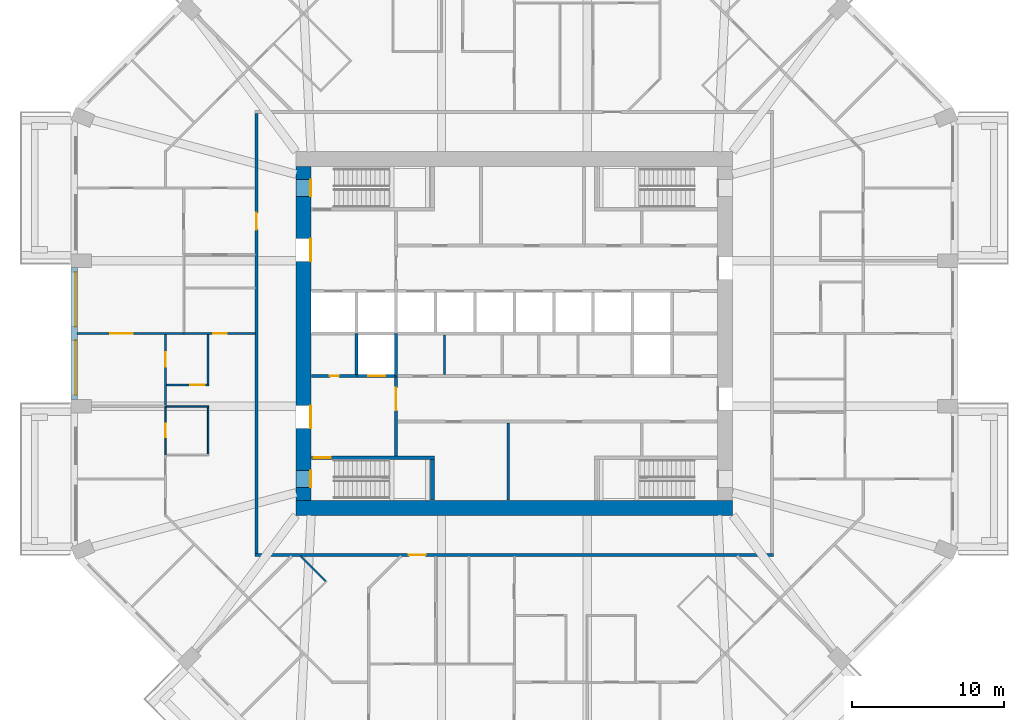
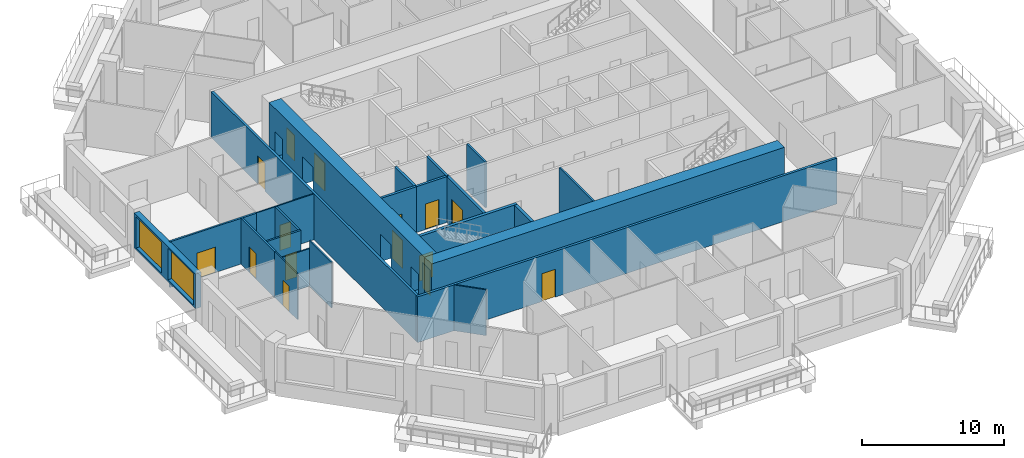
# One storey, part 4 of 13: 23 walls, 15 doors, 2 windows, 17 openings.
"""IFC4 building model written with IfcOpenShell, lengths in metres."""

from ifc_helpers import new_model, si_unit, direction, frame, frame_2d, origin, place, context, subcontext, project, spatial, rectangle, extrude, material, layer, layer_set, type_object, element, fill, save


model = new_model("IFC4")

# Units and contexts
model_context = context("Model", 3, precision=1e-05, world=origin(), true_north=direction((0.0, 1.0)))
body_context = subcontext(model_context, "Body", "Model", "MODEL_VIEW")
ifc_project = project(units=[si_unit("LENGTHUNIT", "METRE"), si_unit("AREAUNIT", "SQUARE_METRE"), si_unit("VOLUMEUNIT", "CUBIC_METRE"), si_unit("PLANEANGLEUNIT", "RADIAN"), si_unit("MASSUNIT", "GRAM", prefix="KILO")], contexts=[model_context])

# Site, building, storey
site_placement = place(None, origin())
site = spatial("IfcSite", under=ifc_project, at=site_placement, CompositionType="ELEMENT")
building_placement = place(site_placement, origin())
building = spatial("IfcBuilding", under=site, at=building_placement, Name="Msitu Wima Residences", CompositionType="ELEMENT")
storey_placement = place(building_placement, frame((0.0, 0.0, 25.5)))
storey = spatial("IfcBuildingStorey", under=building, at=storey_placement, Name="L05", CompositionType="ELEMENT", Elevation=25.5)

# Wall, openings, windows
ifc_material_1 = material(Name="Brick (red buff mix)", Category="masonry")
ifc_layer_1 = layer(ifc_material_1, 0.449951171875)
ifc_layer_set_1 = layer_set([ifc_layer_1], Name="Brick (red buff mix)")
wall_type_1 = type_object("IfcWallType", Name="Brick infill wall BW450", PredefinedType="SOLIDWALL", material=ifc_layer_set_1)
wall_1_placement = place(storey_placement, frame((-29.02490234375, 4.35009765625, 0.89990234375), z_axis=(0.0, 0.0, 1.0), x_axis=(0.0, -1.0, 0.0)))
wall_1 = element("IfcWall", 1, at=wall_1_placement, inside=storey, type_object=wall_type_1, Name="Brick infill wall L05 W1", PredefinedType="SOLIDWALL", context=body_context, shape_type="SweptSolid", body=[
    extrude(rectangle(XDim=8.7001953125, YDim=0.449951171875, at=frame_2d((4.35009765625, 0.0))), origin(), (0.0, 0.0, 1.0), 3.0),
])
opening_1_placement = place(wall_1_placement, frame((0.300048828125, 0.0, 0.14990234375)))
opening_1 = element("IfcOpeningElement", 2, at=opening_1_placement, cuts=wall_1, Name="Opening W05-07.028", PredefinedType="OPENING", context=body_context, shape_type="SweptSolid", body=[
    extrude(rectangle(XDim=3.60009765625, YDim=2.699951171875, at=frame_2d((1.800048828125, 1.35009765625))), frame((0.0, 0.23486328125, 0.0), z_axis=(0.0, -1.0, 0.0), x_axis=(1.0, 0.0, 0.0)), (0.0, 0.0, 1.0), 0.469970703125),
])
opening_2_placement = place(wall_1_placement, frame((4.800048828125, 0.0, 0.14990234375)))
opening_2 = element("IfcOpeningElement", 3, at=opening_2_placement, cuts=wall_1, Name="Opening W05-07.029", PredefinedType="OPENING", context=body_context, shape_type="SweptSolid", body=[
    extrude(rectangle(XDim=3.60009765625, YDim=2.699951171875, at=frame_2d((1.800048828125, 1.35009765625))), frame((0.0, 0.23486328125, 0.0), z_axis=(0.0, -1.0, 0.0), x_axis=(1.0, 0.0, 0.0)), (0.0, 0.0, 1.0), 0.469970703125),
])
ifc_material_2 = material(Name="Anodised aluminium, bronze finish, clear low-emissivity double glazing", Category="aluminium")
window_type = type_object("IfcWindowType", Name="Window W3600x2700", PartitioningType="DOUBLE_PANEL_VERTICAL", PredefinedType="WINDOW", material=ifc_material_2)
window_1_placement = place(opening_1_placement, origin())
window_1 = element("IfcWindow", 4, at=window_1_placement, inside=storey, type_object=window_type, Name="Window L05 W1.1", OverallHeight=2.699951171875, OverallWidth=3.60009765625, PartitioningType="SINGLE_PANEL", PredefinedType="WINDOW", context=body_context, shape_type="SweptSolid", body=[
    extrude(rectangle(XDim=3.60009765625, YDim=2.699951171875, at=frame_2d((1.800048828125, 1.35009765625))), frame((0.0, 0.135009765625, 0.0), z_axis=(0.0, -1.0, 0.0), x_axis=(1.0, 0.0, 0.0)), (0.0, 0.0, 1.0), 0.06005859375),
])
fill(opening_1, window_1)
window_2_placement = place(opening_2_placement, origin())
window_2 = element("IfcWindow", 5, at=window_2_placement, inside=storey, type_object=window_type, Name="Window L05 W1.2", OverallHeight=2.699951171875, OverallWidth=3.60009765625, PartitioningType="SINGLE_PANEL", PredefinedType="WINDOW", context=body_context, shape_type="SweptSolid", body=[
    extrude(rectangle(XDim=3.60009765625, YDim=2.699951171875, at=frame_2d((1.800048828125, 1.35009765625))), frame((0.0, 0.135009765625, 0.0), z_axis=(0.0, -1.0, 0.0), x_axis=(1.0, 0.0, 0.0)), (0.0, 0.0, 1.0), 0.06005859375),
])
fill(opening_2, window_2)

# Wall
ifc_material_3 = material(Name="Concrete C80/95", Category="concrete")
ifc_layer_2 = layer(ifc_material_3, 1.0)
ifc_layer_set_2 = layer_set([ifc_layer_2], Name="Concrete C80/95")
wall_type_2 = type_object("IfcWallType", Name="Core wall CW1000 C80/95", PredefinedType="SHEAR", material=ifc_layer_set_2)
wall_2_placement = place(storey_placement, frame((-14.39990234375, -11.5, 0.0), z_axis=(0.0, 0.0, 1.0), x_axis=(1.0, 0.0, 0.0)))
element("IfcWall", 6, at=wall_2_placement, inside=storey, type_object=wall_type_2, Name="Core wall", PredefinedType="SHEAR", context=body_context, shape_type="SweptSolid", body=[
    extrude(rectangle(XDim=28.7998046875, YDim=1.0, at=frame_2d((14.39990234375, 0.0))), origin(), (0.0, 0.0, 1.0), 4.199951171875),
])

# Wall, openings, doors
wall_3_placement = place(storey_placement, frame((-13.89990234375, -11.0, 0.0), z_axis=(0.0, 0.0, 1.0), x_axis=(0.0, 1.0, 0.0)))
wall_3 = element("IfcWall", 7, at=wall_3_placement, inside=storey, type_object=wall_type_2, Name="Core wall", PredefinedType="SHEAR", context=body_context, shape_type="SweptSolid", body=[
    extrude(rectangle(XDim=22.0, YDim=1.0, at=frame_2d((11.0, 0.0))), origin(), (0.0, 0.0, 1.0), 4.199951171875),
])
opening_3_placement = place(wall_3_placement, frame((20.050048828125, 0.0, 0.0)))
opening_3 = element("IfcOpeningElement", 8, at=opening_3_placement, cuts=wall_3, Name="Opening D05-07.036", PredefinedType="OPENING", context=body_context, shape_type="SweptSolid", body=[
    extrude(rectangle(XDim=1.10009765625, YDim=2.199951171875, at=frame_2d((0.550048828125, 1.10009765625))), frame((0.0, 0.510009765625, 0.0), z_axis=(0.0, -1.0, 0.0), x_axis=(1.0, 0.0, 0.0)), (0.0, 0.0, 1.0), 1.02001953125),
])
opening_4_placement = place(wall_3_placement, frame((0.85009765625, 0.0, 0.0)))
opening_4 = element("IfcOpeningElement", 9, at=opening_4_placement, cuts=wall_3, Name="Opening D05-07.038", PredefinedType="OPENING", context=body_context, shape_type="SweptSolid", body=[
    extrude(rectangle(XDim=1.10009765625, YDim=2.199951171875, at=frame_2d((0.550048828125, 1.10009765625))), frame((0.0, 0.510009765625, 0.0), z_axis=(0.0, -1.0, 0.0), x_axis=(1.0, 0.0, 0.0)), (0.0, 0.0, 1.0), 1.02001953125),
])
opening_5_placement = place(wall_3_placement, frame((15.75, 0.0, 0.0)))
opening_5 = element("IfcOpeningElement", 10, at=opening_5_placement, cuts=wall_3, Name="Opening D05-07.016", PredefinedType="OPENING", context=body_context, shape_type="SweptSolid", body=[
    extrude(rectangle(XDim=1.5, YDim=2.39990234375, at=frame_2d((0.75, 1.199951171875))), frame((0.0, 0.510009765625, 0.0), z_axis=(0.0, -1.0, 0.0), x_axis=(1.0, 0.0, 0.0)), (0.0, 0.0, 1.0), 1.02001953125),
])
opening_6_placement = place(wall_3_placement, frame((4.75, 0.0, 0.0)))
opening_6 = element("IfcOpeningElement", 11, at=opening_6_placement, cuts=wall_3, Name="Opening D05-07.018", PredefinedType="OPENING", context=body_context, shape_type="SweptSolid", body=[
    extrude(rectangle(XDim=1.5, YDim=2.39990234375, at=frame_2d((0.75, 1.199951171875))), frame((0.0, 0.510009765625, 0.0), z_axis=(0.0, -1.0, 0.0), x_axis=(1.0, 0.0, 0.0)), (0.0, 0.0, 1.0), 1.02001953125),
])
ifc_material_4 = material(Name="Steel framed glazed door, fire resisting", Category="steel")
door_type_1 = type_object("IfcDoorType", Name="Lobby door D07 1500x2400", OperationType="DOUBLE_DOOR_SINGLE_SWING", PredefinedType="DOOR", material=ifc_material_4)
door_1_placement = place(opening_5_placement, origin())
door_1 = element("IfcDoor", 12, at=door_1_placement, inside=storey, type_object=door_type_1, Name="Lobby door", OperationType="DOUBLE_DOOR_SINGLE_SWING", OverallHeight=2.39990234375, OverallWidth=1.5, PredefinedType="DOOR", context=body_context, shape_type="SweptSolid", body=[
    extrude(rectangle(XDim=1.5, YDim=2.39990234375, at=frame_2d((0.75, 1.199951171875))), frame((0.0, -0.44482421875, 0.0), z_axis=(0.0, -1.0, 0.0), x_axis=(1.0, 0.0, 0.0)), (0.0, 0.0, 1.0), 0.050048828125),
])
fill(opening_5, door_1)
door_2_placement = place(opening_6_placement, origin())
door_2 = element("IfcDoor", 13, at=door_2_placement, inside=storey, type_object=door_type_1, Name="Lobby door", OperationType="DOUBLE_DOOR_SINGLE_SWING", OverallHeight=2.39990234375, OverallWidth=1.5, PredefinedType="DOOR", context=body_context, shape_type="SweptSolid", body=[
    extrude(rectangle(XDim=1.5, YDim=2.39990234375, at=frame_2d((0.75, 1.199951171875))), frame((0.0, -0.44482421875, 0.0), z_axis=(0.0, -1.0, 0.0), x_axis=(1.0, 0.0, 0.0)), (0.0, 0.0, 1.0), 0.050048828125),
])
fill(opening_6, door_2)
ifc_material_5 = material(Name="Steel door, fire resisting, panic bar", Category="steel")
door_type_2 = type_object("IfcDoorType", Name="Stair door D06 1100x2200", OperationType="SINGLE_SWING_LEFT", PredefinedType="DOOR", material=ifc_material_5)
door_3_placement = place(opening_3_placement, origin())
door_3 = element("IfcDoor", 14, at=door_3_placement, inside=storey, type_object=door_type_2, Name="Stair door", OperationType="SINGLE_SWING_RIGHT", OverallHeight=2.199951171875, OverallWidth=1.10009765625, PredefinedType="DOOR", context=body_context, shape_type="SweptSolid", body=[
    extrude(rectangle(XDim=1.10009765625, YDim=2.199951171875, at=frame_2d((0.550048828125, 1.10009765625))), frame((0.0, -0.44482421875, 0.0), z_axis=(0.0, -1.0, 0.0), x_axis=(1.0, 0.0, 0.0)), (0.0, 0.0, 1.0), 0.050048828125),
])
fill(opening_3, door_3)
door_4_placement = place(opening_4_placement, origin())
door_4 = element("IfcDoor", 15, at=door_4_placement, inside=storey, type_object=door_type_2, Name="Stair door", OperationType="SINGLE_SWING_LEFT", OverallHeight=2.199951171875, OverallWidth=1.10009765625, PredefinedType="DOOR", context=body_context, shape_type="SweptSolid", body=[
    extrude(rectangle(XDim=1.10009765625, YDim=2.199951171875, at=frame_2d((0.550048828125, 1.10009765625))), frame((0.0, -0.44482421875, 0.0), z_axis=(0.0, -1.0, 0.0), x_axis=(1.0, 0.0, 0.0)), (0.0, 0.0, 1.0), 0.050048828125),
])
fill(opening_4, door_4)

# Wall, opening, door
ifc_material_6 = material(Name="Plaster")
ifc_layer_3 = layer(ifc_material_6, 0.011962890625, Name="Plaster")
ifc_material_7 = material(Name="Concrete blockwork", Category="masonry")
ifc_layer_4 = layer(ifc_material_7, 0.176025390625, Name="Concrete blockwork")
ifc_layer_5 = layer(ifc_material_6, 0.011962890625, Name="Plaster")
ifc_layer_set_3 = layer_set([ifc_layer_3, ifc_layer_4, ifc_layer_5], Name="Concrete blockwork")
wall_type_3 = type_object("IfcWallType", Name="Corridor wall FW200", PredefinedType="PARTITIONING", material=ifc_layer_set_3)
wall_4_placement = place(storey_placement, frame((-17.0, -14.5, 0.0), z_axis=(0.0, 0.0, 1.0), x_axis=(0.0, 1.0, 0.0)))
wall_4 = element("IfcWall", 16, at=wall_4_placement, inside=storey, type_object=wall_type_3, Name="Corridor wall", PredefinedType="PARTITIONING", context=body_context, shape_type="SweptSolid", body=[
    extrude(rectangle(XDim=29.0, YDim=0.199951171875, at=frame_2d((14.5, 0.0))), origin(), (0.0, 0.0, 1.0), 3.949951171875),
])
opening_7_placement = place(wall_4_placement, frame((21.35009765625, 0.0, 0.0)))
opening_7 = element("IfcOpeningElement", 17, at=opening_7_placement, cuts=wall_4, Name="Opening D05-07.013", PredefinedType="OPENING", context=body_context, shape_type="SweptSolid", body=[
    extrude(rectangle(XDim=1.10009765625, YDim=2.39990234375, at=frame_2d((0.550048828125, 1.199951171875))), frame((0.0, 0.10986328125, 0.0), z_axis=(0.0, -1.0, 0.0), x_axis=(1.0, 0.0, 0.0)), (0.0, 0.0, 1.0), 0.219970703125),
])
ifc_material_8 = material(Name="Timber flush door, fire resisting, self-closing", Category="wood")
door_type_3 = type_object("IfcDoorType", Name="Flat entrance door D01 1100x2400", OperationType="SINGLE_SWING_LEFT", PredefinedType="DOOR", material=ifc_material_8)
door_5_placement = place(opening_7_placement, origin())
door_5 = element("IfcDoor", 18, at=door_5_placement, inside=storey, type_object=door_type_3, Name="Flat entrance door", OperationType="SINGLE_SWING_RIGHT", OverallHeight=2.39990234375, OverallWidth=1.10009765625, PredefinedType="DOOR", context=body_context, shape_type="SweptSolid", body=[
    extrude(rectangle(XDim=1.10009765625, YDim=2.39990234375, at=frame_2d((0.550048828125, 1.199951171875))), frame((0.0, 0.02490234375, 0.0), z_axis=(0.0, -1.0, 0.0), x_axis=(1.0, 0.0, 0.0)), (0.0, 0.0, 1.0), 0.050048828125),
])
fill(opening_7, door_5)

wall_5_placement = place(storey_placement, frame((-17.10009765625, -14.60009765625, 0.0), z_axis=(0.0, 0.0, 1.0), x_axis=(1.0, 0.0, 0.0)))
wall_5 = element("IfcWall", 19, at=wall_5_placement, inside=storey, type_object=wall_type_3, Name="Corridor wall", PredefinedType="PARTITIONING", context=body_context, shape_type="SweptSolid", body=[
    extrude(rectangle(XDim=34.2001953125, YDim=0.199951171875, at=frame_2d((17.10009765625, 0.0))), origin(), (0.0, 0.0, 1.0), 3.949951171875),
])
opening_8_placement = place(wall_5_placement, frame((10.14990234375, 0.0, 0.0)))
opening_8 = element("IfcOpeningElement", 20, at=opening_8_placement, cuts=wall_5, Name="Opening D05-07.014", PredefinedType="OPENING", context=body_context, shape_type="SweptSolid", body=[
    extrude(rectangle(XDim=1.10009765625, YDim=2.39990234375, at=frame_2d((0.550048828125, 1.199951171875))), frame((0.0, 0.10986328125, 0.0), z_axis=(0.0, -1.0, 0.0), x_axis=(1.0, 0.0, 0.0)), (0.0, 0.0, 1.0), 0.219970703125),
])
door_6_placement = place(opening_8_placement, origin())
door_6 = element("IfcDoor", 21, at=door_6_placement, inside=storey, type_object=door_type_3, Name="Flat entrance door", OperationType="SINGLE_SWING_RIGHT", OverallHeight=2.39990234375, OverallWidth=1.10009765625, PredefinedType="DOOR", context=body_context, shape_type="SweptSolid", body=[
    extrude(rectangle(XDim=1.10009765625, YDim=2.39990234375, at=frame_2d((0.550048828125, 1.199951171875))), frame((0.0, 0.02490234375, 0.0), z_axis=(0.0, -1.0, 0.0), x_axis=(1.0, 0.0, 0.0)), (0.0, 0.0, 1.0), 0.050048828125),
])
fill(opening_8, door_6)

wall_6_placement = place(storey_placement, frame((-7.800048828125, -8.074951171875, 0.0), z_axis=(0.0, 0.0, 1.0), x_axis=(0.0, 1.0, 0.0)))
wall_6 = element("IfcWall", 22, at=wall_6_placement, inside=storey, type_object=wall_type_3, Name="Corridor wall", PredefinedType="PARTITIONING", context=body_context, shape_type="SweptSolid", body=[
    extrude(rectangle(XDim=5.27490234375, YDim=0.199951171875, at=frame_2d((2.637451171875, 0.0))), origin(), (0.0, 0.0, 1.0), 3.949951171875),
])
opening_9_placement = place(wall_6_placement, frame((3.0, 0.0, 0.0)))
opening_9 = element("IfcOpeningElement", 23, at=opening_9_placement, cuts=wall_6, Name="Opening D05-07.019", PredefinedType="OPENING", context=body_context, shape_type="SweptSolid", body=[
    extrude(rectangle(XDim=1.5, YDim=2.39990234375, at=frame_2d((0.75, 1.199951171875))), frame((0.0, 0.10986328125, 0.0), z_axis=(0.0, -1.0, 0.0), x_axis=(1.0, 0.0, 0.0)), (0.0, 0.0, 1.0), 0.219970703125),
])
door_7_placement = place(opening_9_placement, origin())
door_7 = element("IfcDoor", 24, at=door_7_placement, inside=storey, type_object=door_type_1, Name="Lobby door", OperationType="DOUBLE_DOOR_SINGLE_SWING", OverallHeight=2.39990234375, OverallWidth=1.5, PredefinedType="DOOR", context=body_context, shape_type="SweptSolid", body=[
    extrude(rectangle(XDim=1.5, YDim=2.39990234375, at=frame_2d((0.75, 1.199951171875))), frame((0.0, 0.02490234375, 0.0), z_axis=(0.0, -1.0, 0.0), x_axis=(1.0, 0.0, 0.0)), (0.0, 0.0, 1.0), 0.050048828125),
])
fill(opening_9, door_7)

ifc_layer_6 = layer(ifc_material_6, 0.011962890625, Name="Plaster")
ifc_layer_7 = layer(ifc_material_7, 0.1259765625, Name="Concrete blockwork")
ifc_layer_8 = layer(ifc_material_6, 0.011962890625, Name="Plaster")
ifc_layer_set_4 = layer_set([ifc_layer_6, ifc_layer_7, ifc_layer_8], Name="Concrete blockwork")
wall_type_4 = type_object("IfcWallType", Name="Partition PW150", PredefinedType="PARTITIONING", material=ifc_layer_set_4)
wall_7_placement = place(storey_placement, frame((-28.85498046875, 0.0, 0.0), z_axis=(0.0, 0.0, 1.0), x_axis=(1.0, 0.0, 0.0)))
wall_7 = element("IfcWall", 25, at=wall_7_placement, inside=storey, type_object=wall_type_4, Name="Partition", PredefinedType="PARTITIONING", context=body_context, shape_type="SweptSolid", body=[
    extrude(rectangle(XDim=7.054931640625, YDim=0.14990234375, at=frame_2d((3.52734375, 0.0))), origin(), (0.0, 0.0, 1.0), 3.949951171875),
])
opening_10_placement = place(wall_7_placement, frame((2.199951171875, 0.0, 0.0)))
opening_10 = element("IfcOpeningElement", 26, at=opening_10_placement, cuts=wall_7, Name="Opening D05-07.067", PredefinedType="OPENING", context=body_context, shape_type="SweptSolid", body=[
    extrude(rectangle(XDim=1.5, YDim=2.199951171875, at=frame_2d((0.75, 1.10009765625))), frame((0.0, 0.0849609375, 0.0), z_axis=(0.0, -1.0, 0.0), x_axis=(1.0, 0.0, 0.0)), (0.0, 0.0, 1.0), 0.169921875),
])
ifc_material_9 = material(Name="Timber double door", Category="wood")
door_type_4 = type_object("IfcDoorType", Name="Double door D04 1500x2200", OperationType="DOUBLE_DOOR_SINGLE_SWING", PredefinedType="DOOR", material=ifc_material_9)
door_8_placement = place(opening_10_placement, origin())
door_8 = element("IfcDoor", 27, at=door_8_placement, inside=storey, type_object=door_type_4, Name="Double door", OperationType="DOUBLE_DOOR_SINGLE_SWING", OverallHeight=2.199951171875, OverallWidth=1.5, PredefinedType="DOOR", context=body_context, shape_type="SweptSolid", body=[
    extrude(rectangle(XDim=1.5, YDim=2.199951171875, at=frame_2d((0.75, 1.10009765625))), frame((0.0, 0.02490234375, 0.0), z_axis=(0.0, -1.0, 0.0), x_axis=(1.0, 0.0, 0.0)), (0.0, 0.0, 1.0), 0.050048828125),
])
fill(opening_10, door_8)

wall_8_placement = place(storey_placement, frame((-23.0, -4.800048828125, 0.0), z_axis=(0.0, 0.0, 1.0), x_axis=(0.0, 1.0, 0.0)))
wall_8 = element("IfcWall", 28, at=wall_8_placement, inside=storey, type_object=wall_type_4, Name="Partition", PredefinedType="PARTITIONING", context=body_context, shape_type="SweptSolid", body=[
    extrude(rectangle(XDim=4.72509765625, YDim=0.14990234375, at=frame_2d((2.362548828125, 0.0))), origin(), (0.0, 0.0, 1.0), 3.949951171875),
])
opening_11_placement = place(wall_8_placement, frame((2.60009765625, 0.0, 0.0)))
opening_11 = element("IfcOpeningElement", 29, at=opening_11_placement, cuts=wall_8, Name="Opening D05-07.069", PredefinedType="OPENING", context=body_context, shape_type="SweptSolid", body=[
    extrude(rectangle(XDim=0.949951171875, YDim=2.199951171875, at=frame_2d((0.47509765625, 1.10009765625))), frame((0.0, 0.0849609375, 0.0), z_axis=(0.0, -1.0, 0.0), x_axis=(1.0, 0.0, 0.0)), (0.0, 0.0, 1.0), 0.169921875),
])
ifc_material_10 = material(Name="Timber flush door", Category="wood")
door_type_5 = type_object("IfcDoorType", Name="Room door D12 950x2200", OperationType="SINGLE_SWING_LEFT", PredefinedType="DOOR", material=ifc_material_10)
door_9_placement = place(opening_11_placement, origin())
door_9 = element("IfcDoor", 30, at=door_9_placement, inside=storey, type_object=door_type_5, Name="Room door", OperationType="SINGLE_SWING_RIGHT", OverallHeight=2.199951171875, OverallWidth=0.949951171875, PredefinedType="DOOR", context=body_context, shape_type="SweptSolid", body=[
    extrude(rectangle(XDim=0.949951171875, YDim=2.199951171875, at=frame_2d((0.47509765625, 1.10009765625))), frame((0.0, 0.02490234375, 0.0), z_axis=(0.0, -1.0, 0.0), x_axis=(1.0, 0.0, 0.0)), (0.0, 0.0, 1.0), 0.050048828125),
])
fill(opening_11, door_9)

wall_9_placement = place(storey_placement, frame((-22.925048828125, -3.39990234375, 0.0), z_axis=(0.0, 0.0, 1.0), x_axis=(1.0, 0.0, 0.0)))
wall_9 = element("IfcWall", 31, at=wall_9_placement, inside=storey, type_object=wall_type_4, Name="Partition", PredefinedType="PARTITIONING", context=body_context, shape_type="SweptSolid", body=[
    extrude(rectangle(XDim=2.800048828125, YDim=0.14990234375, at=frame_2d((1.39990234375, 0.0))), origin(), (0.0, 0.0, 1.0), 3.949951171875),
])
opening_12_placement = place(wall_9_placement, frame((1.550048828125, 0.0, 0.0)))
opening_12 = element("IfcOpeningElement", 32, at=opening_12_placement, cuts=wall_9, Name="Opening D05-07.071", PredefinedType="OPENING", context=body_context, shape_type="SweptSolid", body=[
    extrude(rectangle(XDim=0.949951171875, YDim=2.199951171875, at=frame_2d((0.47509765625, 1.10009765625))), frame((0.0, 0.0849609375, 0.0), z_axis=(0.0, -1.0, 0.0), x_axis=(1.0, 0.0, 0.0)), (0.0, 0.0, 1.0), 0.169921875),
])
door_10_placement = place(opening_12_placement, origin())
door_10 = element("IfcDoor", 33, at=door_10_placement, inside=storey, type_object=door_type_5, Name="Room door", OperationType="SINGLE_SWING_RIGHT", OverallHeight=2.199951171875, OverallWidth=0.949951171875, PredefinedType="DOOR", context=body_context, shape_type="SweptSolid", body=[
    extrude(rectangle(XDim=0.949951171875, YDim=2.199951171875, at=frame_2d((0.47509765625, 1.10009765625))), frame((0.0, 0.02490234375, 0.0), z_axis=(0.0, -1.0, 0.0), x_axis=(1.0, 0.0, 0.0)), (0.0, 0.0, 1.0), 0.050048828125),
])
fill(opening_12, door_10)

# Walls
wall_10_placement = place(storey_placement, frame((-20.199951171875, -3.324951171875, 0.0), z_axis=(0.0, 0.0, 1.0), x_axis=(0.0, 1.0, 0.0)))
element("IfcWall", 34, at=wall_10_placement, inside=storey, type_object=wall_type_4, Name="Partition", PredefinedType="PARTITIONING", context=body_context, shape_type="SweptSolid", body=[
    extrude(rectangle(XDim=3.27490234375, YDim=0.14990234375, at=frame_2d((1.637451171875, 0.0))), origin(), (0.0, 0.0, 1.0), 3.949951171875),
])
wall_11_placement = place(storey_placement, frame((-4.60009765625, -2.699951171875, 0.0), z_axis=(0.0, 0.0, 1.0), x_axis=(0.0, 1.0, 0.0)))
element("IfcWall", 35, at=wall_11_placement, inside=storey, type_object=wall_type_4, Name="Partition", PredefinedType="PARTITIONING", context=body_context, shape_type="SweptSolid", body=[
    extrude(rectangle(XDim=2.599853515625, YDim=0.14990234375, at=frame_2d((1.2998046875, 0.0))), origin(), (0.0, 0.0, 1.0), 3.949951171875),
])
wall_12_placement = place(storey_placement, frame((-0.39990234375, -10.969970703125, 0.0), z_axis=(0.0, 0.0, 1.0), x_axis=(0.0, 1.0, 0.0)))
element("IfcWall", 36, at=wall_12_placement, inside=storey, type_object=wall_type_4, Name="Partition", PredefinedType="PARTITIONING", context=body_context, shape_type="SweptSolid", body=[
    extrude(rectangle(XDim=5.070068359375, YDim=0.14990234375, at=frame_2d((2.53515625, 0.0))), origin(), (0.0, 0.0, 1.0), 3.949951171875),
])

# Wall, opening, door
ifc_layer_9 = layer(ifc_material_6, 0.011962890625, Name="Plaster")
ifc_material_11 = material(Name="Reinforced concrete blockwork", Category="masonry")
ifc_layer_10 = layer(ifc_material_11, 0.176025390625, Name="Reinforced concrete blockwork")
ifc_layer_11 = layer(ifc_material_6, 0.011962890625, Name="Plaster")
ifc_layer_set_5 = layer_set([ifc_layer_9, ifc_layer_10, ifc_layer_11], Name="Reinforced concrete blockwork")
wall_type_5 = type_object("IfcWallType", Name="Plant and riser wall PL200", PredefinedType="PARTITIONING", material=ifc_layer_set_5)
wall_13_placement = place(storey_placement, frame((-13.3701171875, -2.800048828125, 0.0), z_axis=(0.0, 0.0, 1.0), x_axis=(1.0, 0.0, 0.0)))
wall_13 = element("IfcWall", 37, at=wall_13_placement, inside=storey, type_object=wall_type_5, Name="Plant and riser wall", PredefinedType="PARTITIONING", context=body_context, shape_type="SweptSolid", body=[
    extrude(rectangle(XDim=2.990234375, YDim=0.199951171875, at=frame_2d((1.4951171875, 0.0))), origin(), (0.0, 0.0, 1.0), 3.949951171875),
])
opening_13_placement = place(wall_13_placement, frame((1.199951171875, 0.0, 0.0)))
opening_13 = element("IfcOpeningElement", 38, at=opening_13_placement, cuts=wall_13, Name="Opening D05-07.030", PredefinedType="OPENING", context=body_context, shape_type="SweptSolid", body=[
    extrude(rectangle(XDim=0.60009765625, YDim=2.0, at=frame_2d((0.300048828125, 1.0))), frame((0.0, 0.10986328125, 0.0), z_axis=(0.0, -1.0, 0.0), x_axis=(1.0, 0.0, 0.0)), (0.0, 0.0, 1.0), 0.219970703125),
])
ifc_material_12 = material(Name="Steel access door, fire resisting", Category="steel")
door_type_6 = type_object("IfcDoorType", Name="Riser access door D08 600x2000", OperationType="SINGLE_SWING_LEFT", PredefinedType="DOOR", material=ifc_material_12)
door_11_placement = place(opening_13_placement, origin())
door_11 = element("IfcDoor", 39, at=door_11_placement, inside=storey, type_object=door_type_6, Name="Riser access door", OperationType="SINGLE_SWING_RIGHT", OverallHeight=2.0, OverallWidth=0.60009765625, PredefinedType="DOOR", context=body_context, shape_type="SweptSolid", body=[
    extrude(rectangle(XDim=0.60009765625, YDim=2.0, at=frame_2d((0.300048828125, 1.0))), frame((0.0, 0.02490234375, 0.0), z_axis=(0.0, -1.0, 0.0), x_axis=(1.0, 0.0, 0.0)), (0.0, 0.0, 1.0), 0.050048828125),
])
fill(opening_13, door_11)

# Wall
ifc_material_13 = material(Name="Fire-rated board")
ifc_layer_12 = layer(ifc_material_13, 0.02490234375, Name="Fire-rated board")
ifc_material_14 = material(Name="Light-gauge stud framing with mineral wool")
ifc_layer_13 = layer(ifc_material_14, 0.14990234375, Name="Light-gauge stud framing with mineral wool")
ifc_layer_14 = layer(ifc_material_13, 0.02490234375, Name="Fire-rated board")
ifc_layer_set_6 = layer_set([ifc_layer_12, ifc_layer_13, ifc_layer_14], Name="Light-gauge stud framing with mineral wool")
wall_type_6 = type_object("IfcWallType", Name="Shaft wall SH200", PredefinedType="PARTITIONING", material=ifc_layer_set_6)
wall_14_placement = place(storey_placement, frame((-10.39990234375, -2.699951171875, 0.0), z_axis=(0.0, 0.0, 1.0), x_axis=(0.0, 1.0, 0.0)))
element("IfcWall", 40, at=wall_14_placement, inside=storey, type_object=wall_type_6, Name="Shaft wall", PredefinedType="PARTITIONING", context=body_context, shape_type="SweptSolid", body=[
    extrude(rectangle(XDim=2.699951171875, YDim=0.199951171875, at=frame_2d((1.35009765625, 0.0))), origin(), (0.0, 0.0, 1.0), 3.949951171875),
])

# Wall, opening, door
wall_15_placement = place(storey_placement, frame((-10.3798828125, -2.800048828125, 0.0), z_axis=(0.0, 0.0, 1.0), x_axis=(1.0, 0.0, 0.0)))
wall_15 = element("IfcWall", 41, at=wall_15_placement, inside=storey, type_object=wall_type_6, Name="Shaft wall", PredefinedType="PARTITIONING", context=body_context, shape_type="SweptSolid", body=[
    extrude(rectangle(XDim=2.559814453125, YDim=0.199951171875, at=frame_2d((1.27978515625, 0.0))), origin(), (0.0, 0.0, 1.0), 3.949951171875),
])
opening_14_placement = place(wall_15_placement, frame((0.75, 0.0, 0.0)))
opening_14 = element("IfcOpeningElement", 42, at=opening_14_placement, cuts=wall_15, Name="Opening LD", PredefinedType="OPENING", context=body_context, shape_type="SweptSolid", body=[
    extrude(rectangle(XDim=1.10009765625, YDim=2.199951171875, at=frame_2d((0.550048828125, 1.10009765625))), frame((0.0, 0.10986328125, 0.0), z_axis=(0.0, -1.0, 0.0), x_axis=(1.0, 0.0, 0.0)), (0.0, 0.0, 1.0), 0.219970703125),
])
ifc_material_15 = material(Name="Stainless steel centre-opening landing door, rated", Category="steel")
door_type_7 = type_object("IfcDoorType", Name="Lift landing door LD 1100x2200", OperationType="DOUBLE_DOOR_SLIDING", PredefinedType="DOOR", material=ifc_material_15)
door_12_placement = place(opening_14_placement, origin())
door_12 = element("IfcDoor", 43, at=door_12_placement, inside=storey, type_object=door_type_7, Name="Lift landing door LD3", OperationType="DOUBLE_DOOR_SLIDING", OverallHeight=2.199951171875, OverallWidth=1.10009765625, PredefinedType="DOOR", context=body_context, shape_type="SweptSolid", body=[
    extrude(rectangle(XDim=1.10009765625, YDim=2.199951171875, at=frame_2d((0.550048828125, 1.10009765625))), frame((0.0, 0.02490234375, 0.0), z_axis=(0.0, -1.0, 0.0), x_axis=(1.0, 0.0, 0.0)), (0.0, 0.0, 1.0), 0.050048828125),
])
fill(opening_14, door_12)

# Wall
wall_16_placement = place(storey_placement, frame((-7.800048828125, -2.800048828125, 0.0), z_axis=(0.0, 0.0, 1.0), x_axis=(0.0, 1.0, 0.0)))
element("IfcWall", 44, at=wall_16_placement, inside=storey, type_object=wall_type_6, Name="Shaft wall", PredefinedType="PARTITIONING", context=body_context, shape_type="SweptSolid", body=[
    extrude(rectangle(XDim=2.800048828125, YDim=0.199951171875, at=frame_2d((1.39990234375, 0.0))), origin(), (0.0, 0.0, 1.0), 3.949951171875),
])

# Wall, opening, door
ifc_material_16 = material(Name="Concrete C50/60", Category="concrete")
ifc_layer_15 = layer(ifc_material_16, 0.25)
ifc_layer_set_7 = layer_set([ifc_layer_15], Name="Concrete C50/60")
wall_type_7 = type_object("IfcWallType", Name="Stair enclosure wall SW250", PredefinedType="SHEAR", material=ifc_layer_set_7)
wall_17_placement = place(storey_placement, frame((-13.3701171875, -8.199951171875, 0.0), z_axis=(0.0, 0.0, 1.0), x_axis=(1.0, 0.0, 0.0)))
wall_17 = element("IfcWall", 45, at=wall_17_placement, inside=storey, type_object=wall_type_7, Name="Stair enclosure wall", PredefinedType="SHEAR", context=body_context, shape_type="SweptSolid", body=[
    extrude(rectangle(XDim=8.09521484375, YDim=0.25, at=frame_2d((4.047607421875, 0.0))), origin(), (0.0, 0.0, 1.0), 3.949951171875),
])
opening_15_placement = place(wall_17_placement, frame((0.14990234375, 0.0, 0.0)))
opening_15 = element("IfcOpeningElement", 46, at=opening_15_placement, cuts=wall_17, Name="Opening D05-07.039", PredefinedType="OPENING", context=body_context, shape_type="SweptSolid", body=[
    extrude(rectangle(XDim=1.10009765625, YDim=2.199951171875, at=frame_2d((0.550048828125, 1.10009765625))), frame((0.0, 0.135009765625, 0.0), z_axis=(0.0, -1.0, 0.0), x_axis=(1.0, 0.0, 0.0)), (0.0, 0.0, 1.0), 0.27001953125),
])
door_13_placement = place(opening_15_placement, origin())
door_13 = element("IfcDoor", 47, at=door_13_placement, inside=storey, type_object=door_type_2, Name="Stair door", OperationType="SINGLE_SWING_RIGHT", OverallHeight=2.199951171875, OverallWidth=1.10009765625, PredefinedType="DOOR", context=body_context, shape_type="SweptSolid", body=[
    extrude(rectangle(XDim=1.10009765625, YDim=2.199951171875, at=frame_2d((0.550048828125, 1.10009765625))), frame((0.0, 0.02490234375, 0.0), z_axis=(0.0, -1.0, 0.0), x_axis=(1.0, 0.0, 0.0)), (0.0, 0.0, 1.0), 0.050048828125),
])
fill(opening_15, door_13)

# Walls
wall_18_placement = place(storey_placement, frame((-5.39990234375, -10.969970703125, 0.0), z_axis=(0.0, 0.0, 1.0), x_axis=(0.0, 1.0, 0.0)))
element("IfcWall", 48, at=wall_18_placement, inside=storey, type_object=wall_type_7, Name="Stair enclosure wall", PredefinedType="SHEAR", context=body_context, shape_type="SweptSolid", body=[
    extrude(rectangle(XDim=2.64501953125, YDim=0.25, at=frame_2d((1.322509765625, 0.0))), origin(), (0.0, 0.0, 1.0), 3.949951171875),
])
ifc_material_17 = material(Name="Ceramic tiles")
ifc_layer_16 = layer(ifc_material_17, 0.008056640625, Name="Ceramic tiles")
ifc_material_18 = material(Name="Moisture-resistant board")
ifc_layer_17 = layer(ifc_material_18, 0.012451171875, Name="Moisture-resistant board")
ifc_layer_18 = layer(ifc_material_14, 0.06689453125, Name="Light-gauge stud framing with mineral wool")
ifc_layer_19 = layer(ifc_material_18, 0.012451171875, Name="Moisture-resistant board")
ifc_layer_set_8 = layer_set([ifc_layer_16, ifc_layer_17, ifc_layer_18, ifc_layer_19], Name="Light-gauge stud framing with mineral wool")
wall_type_8 = type_object("IfcWallType", Name="Wet wall PW100", PredefinedType="PARTITIONING", material=ifc_layer_set_8)
wall_19_placement = place(storey_placement, frame((-22.97998046875, -4.800048828125, 0.0), z_axis=(0.0, 0.0, 1.0), x_axis=(1.0, 0.0, 0.0)))
element("IfcWall", 49, at=wall_19_placement, inside=storey, type_object=wall_type_8, Name="Wet wall", PredefinedType="PARTITIONING", context=body_context, shape_type="SweptSolid", body=[
    extrude(rectangle(XDim=2.830078125, YDim=0.10009765625, at=frame_2d((1.4150390625, 0.0))), origin(), (0.0, 0.0, 1.0), 3.25),
])

# Wall, opening, door
wall_20_placement = place(storey_placement, frame((-23.0, -8.0, 0.0), z_axis=(0.0, 0.0, 1.0), x_axis=(0.0, 1.0, 0.0)))
wall_20 = element("IfcWall", 50, at=wall_20_placement, inside=storey, type_object=wall_type_8, Name="Wet wall", PredefinedType="PARTITIONING", context=body_context, shape_type="SweptSolid", body=[
    extrude(rectangle(XDim=3.199951171875, YDim=0.10009765625, at=frame_2d((1.60009765625, 0.0))), origin(), (0.0, 0.0, 1.0), 3.949951171875),
])
opening_16_placement = place(wall_20_placement, frame((1.14990234375, 0.0, 0.0)))
opening_16 = element("IfcOpeningElement", 51, at=opening_16_placement, cuts=wall_20, Name="Opening D05-07.074", PredefinedType="OPENING", context=body_context, shape_type="SweptSolid", body=[
    extrude(rectangle(XDim=0.89990234375, YDim=2.199951171875, at=frame_2d((0.449951171875, 1.10009765625))), frame((0.0, 0.06005859375, 0.0), z_axis=(0.0, -1.0, 0.0), x_axis=(1.0, 0.0, 0.0)), (0.0, 0.0, 1.0), 0.1201171875),
])
ifc_material_19 = material(Name="Timber flush door, moisture resistant", Category="wood")
door_type_8 = type_object("IfcDoorType", Name="Bathroom door D03 900x2200", OperationType="SINGLE_SWING_LEFT", PredefinedType="DOOR", material=ifc_material_19)
door_14_placement = place(opening_16_placement, origin())
door_14 = element("IfcDoor", 52, at=door_14_placement, inside=storey, type_object=door_type_8, Name="Bathroom door", OperationType="SINGLE_SWING_RIGHT", OverallHeight=2.199951171875, OverallWidth=0.89990234375, PredefinedType="DOOR", context=body_context, shape_type="SweptSolid", body=[
    extrude(rectangle(XDim=0.89990234375, YDim=2.199951171875, at=frame_2d((0.449951171875, 1.10009765625))), frame((0.0, 0.02490234375, 0.0), z_axis=(0.0, -1.0, 0.0), x_axis=(1.0, 0.0, 0.0)), (0.0, 0.0, 1.0), 0.050048828125),
])
fill(opening_16, door_14)

wall_21_placement = place(storey_placement, frame((-21.800048828125, 0.0, 0.0), z_axis=(0.0, 0.0, 1.0), x_axis=(1.0, 0.0, 0.0)))
wall_21 = element("IfcWall", 53, at=wall_21_placement, inside=storey, type_object=wall_type_8, Name="Wet wall", PredefinedType="PARTITIONING", context=body_context, shape_type="SweptSolid", body=[
    extrude(rectangle(XDim=4.699951171875, YDim=0.10009765625, at=frame_2d((2.35009765625, 0.0))), origin(), (0.0, 0.0, 1.0), 3.949951171875),
])
opening_17_placement = place(wall_21_placement, frame((1.949951171875, 0.0, 0.0)))
opening_17 = element("IfcOpeningElement", 54, at=opening_17_placement, cuts=wall_21, Name="Opening D05-07.076", PredefinedType="OPENING", context=body_context, shape_type="SweptSolid", body=[
    extrude(rectangle(XDim=0.89990234375, YDim=2.199951171875, at=frame_2d((0.449951171875, 1.10009765625))), frame((0.0, 0.06005859375, 0.0), z_axis=(0.0, -1.0, 0.0), x_axis=(1.0, 0.0, 0.0)), (0.0, 0.0, 1.0), 0.1201171875),
])
door_15_placement = place(opening_17_placement, origin())
door_15 = element("IfcDoor", 55, at=door_15_placement, inside=storey, type_object=door_type_8, Name="Bathroom door", OperationType="SINGLE_SWING_RIGHT", OverallHeight=2.199951171875, OverallWidth=0.89990234375, PredefinedType="DOOR", context=body_context, shape_type="SweptSolid", body=[
    extrude(rectangle(XDim=0.89990234375, YDim=2.199951171875, at=frame_2d((0.449951171875, 1.10009765625))), frame((0.0, 0.02490234375, 0.0), z_axis=(0.0, -1.0, 0.0), x_axis=(1.0, 0.0, 0.0)), (0.0, 0.0, 1.0), 0.050048828125),
])
fill(opening_17, door_15)

# Walls
wall_22_placement = place(storey_placement, frame((-20.199951171875, -7.949951171875, 0.0), z_axis=(0.0, 0.0, 1.0), x_axis=(0.0, 1.0, 0.0)))
element("IfcWall", 56, at=wall_22_placement, inside=storey, type_object=wall_type_8, Name="Wet wall", PredefinedType="PARTITIONING", context=body_context, shape_type="SweptSolid", body=[
    extrude(rectangle(XDim=3.099853515625, YDim=0.10009765625, at=frame_2d((1.5498046875, 0.0))), origin(), (0.0, 0.0, 1.0), 3.949951171875),
])
wall_23_placement = place(storey_placement, frame((-14.104248046875, -14.670654296875, 0.0), z_axis=(0.0, 0.0, 1.0), x_axis=(0.707106781187, -0.707106781187, 0.0)))
element("IfcWall", 57, at=wall_23_placement, inside=storey, type_object=wall_type_8, Name="Wet wall", PredefinedType="PARTITIONING", context=body_context, shape_type="SweptSolid", body=[
    extrude(rectangle(XDim=2.349609375, YDim=0.10009765625, at=frame_2d((1.1748046875, 0.0))), origin(), (0.0, 0.0, 1.0), 3.949951171875),
])

save(model, "model.ifc")
